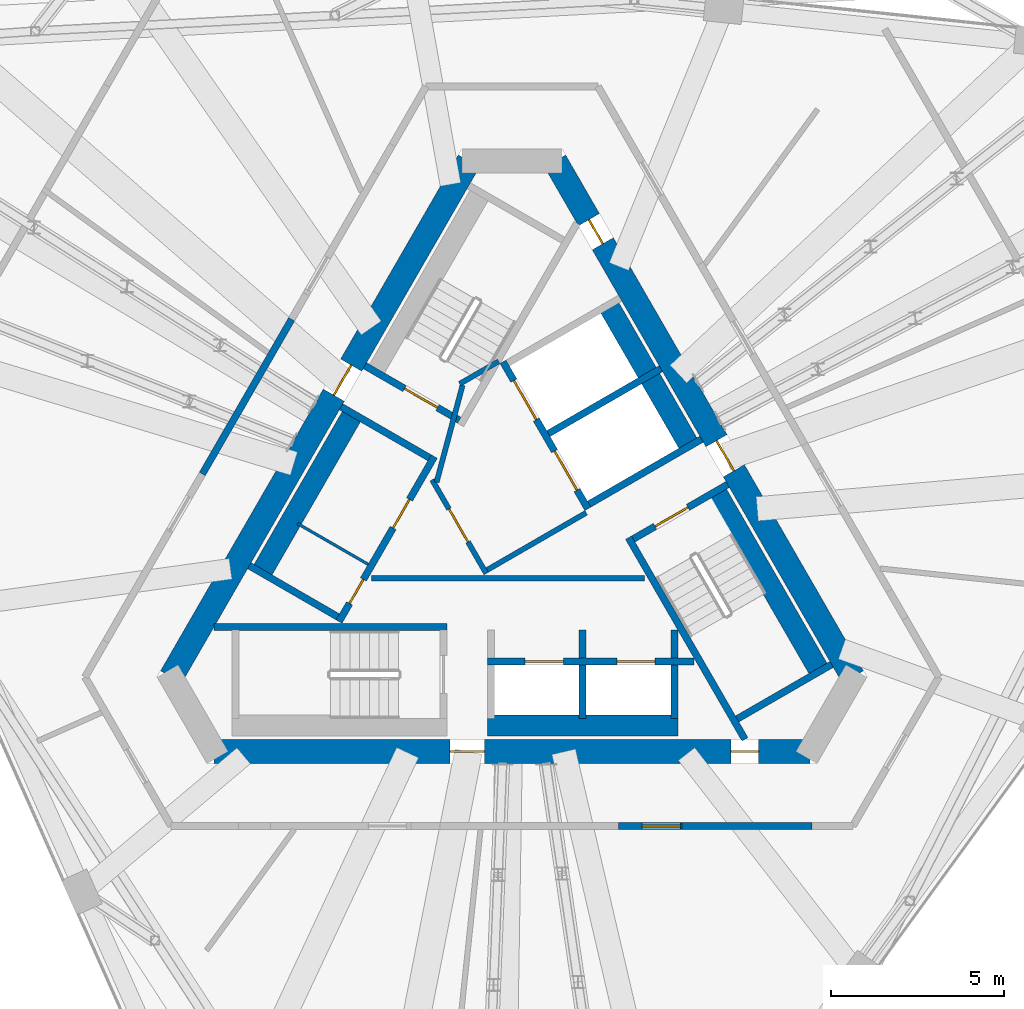
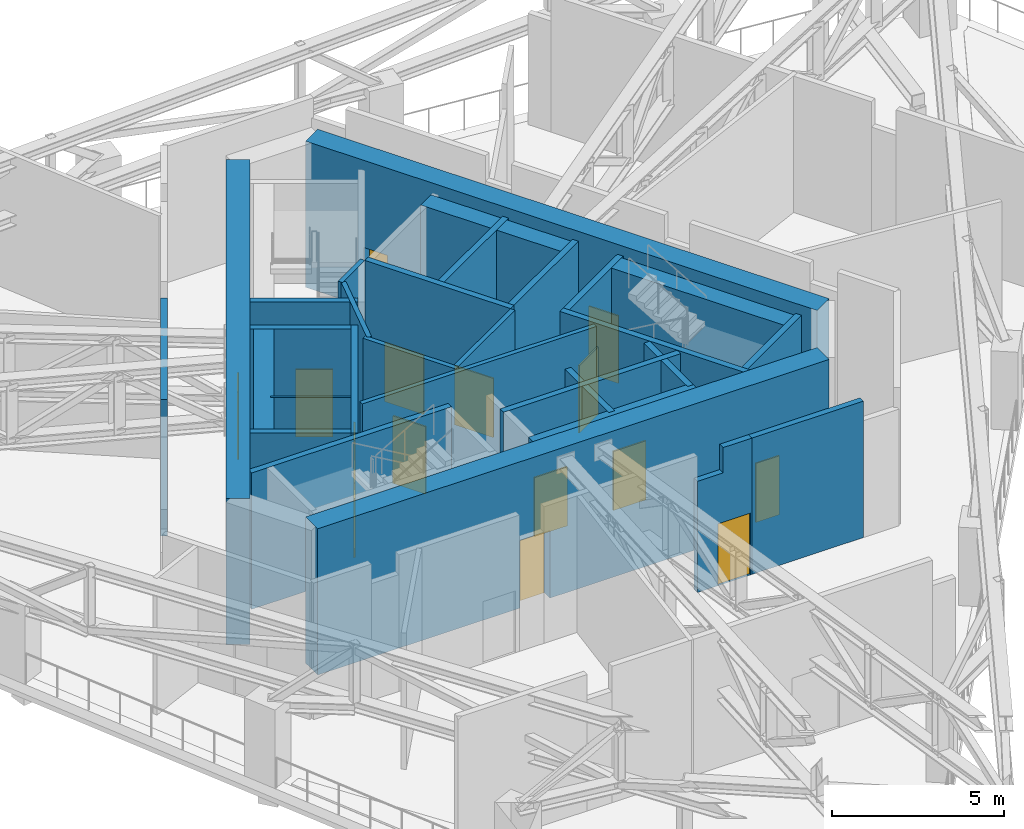
# One storey, part 12 of 20: 32 walls, 15 doors, 15 openings.
"""IFC4 building model written with IfcOpenShell, lengths in metres."""

from ifc_helpers import new_model, si_unit, direction, frame, frame_2d, origin, place, context, subcontext, project, spatial, polyline, rectangle, outline, extrude, material, layer, layer_set, type_object, element, fill, save


model = new_model("IFC4")

# Units and contexts
model_context = context("Model", 3, precision=1e-05, world=origin(), true_north=direction((0.0, 1.0)))
body_context = subcontext(model_context, "Body", "Model", "MODEL_VIEW")
ifc_project = project(units=[si_unit("LENGTHUNIT", "METRE"), si_unit("AREAUNIT", "SQUARE_METRE"), si_unit("VOLUMEUNIT", "CUBIC_METRE"), si_unit("PLANEANGLEUNIT", "RADIAN"), si_unit("MASSUNIT", "GRAM", prefix="KILO")], contexts=[model_context])

# Site, building, storey
site_placement = place(None, origin())
site = spatial("IfcSite", under=ifc_project, at=site_placement, CompositionType="ELEMENT")
building_placement = place(site_placement, origin())
building = spatial("IfcBuilding", under=site, at=building_placement, Name="Tramontana Tower", CompositionType="ELEMENT")
storey_placement = place(building_placement, frame((0.0, 0.0, 269.199951171875)))
storey = spatial("IfcBuildingStorey", under=building, at=storey_placement, Name="L63", CompositionType="ELEMENT", Elevation=269.199951171875)

# Wall, opening, door
ifc_material_1 = material(Name="Concrete 70 MPa", Category="concrete")
ifc_layer_1 = layer(ifc_material_1, 0.699951171875)
ifc_layer_set_1 = layer_set([ifc_layer_1], Name="Core wall 700 70 MPa")
wall_type_1 = type_object("IfcWallType", Name="Core wall 700 70 MPa", PredefinedType="SHEAR", material=ifc_layer_set_1)
wall_1_placement = place(storey_placement, frame((-1.2412109375, 10.64990234375, 0.0), z_axis=(0.0, 0.0, 1.0), x_axis=(-0.500003331888, -0.866023480109, 0.0)))
wall_1 = element("IfcWall", 1, at=wall_1_placement, inside=storey, type_object=wall_type_1, Name="Core wall C1 L63", PredefinedType="SHEAR", context=body_context, shape_type="SweptSolid", body=[
    extrude(rectangle(XDim=17.205078125, YDim=0.699951171875, at=frame_2d((8.6025390625, 0.0))), origin(), (0.0, 0.0, 1.0), 5.199951171875),
])
opening_1_placement = place(wall_1_placement, frame((6.8076171875, 0.0, 0.0)))
opening_1 = element("IfcOpeningElement", 2, at=opening_1_placement, cuts=wall_1, Name="Opening RG1", PredefinedType="OPENING", context=body_context, shape_type="SweptSolid", body=[
    extrude(rectangle(XDim=1.0, YDim=2.39990234375, at=frame_2d((0.5, 1.199951171875))), frame((0.0, 0.35986328125, 0.0), z_axis=(0.0, -1.0, 0.0), x_axis=(1.0, 0.0, 0.0)), (0.0, 0.0, 1.0), 0.719970703125),
])
ifc_material_2 = material(Name="Painted steel", Category="steel")
door_type_1 = type_object("IfcDoorType", Name="RING DOOR 1000", OperationType="SINGLE_SWING_LEFT", PredefinedType="DOOR", material=ifc_material_2)
door_1_placement = place(opening_1_placement, origin())
door_1 = element("IfcDoor", 3, at=door_1_placement, inside=storey, type_object=door_type_1, Name="Door RG1", OperationType="SINGLE_SWING_RIGHT", OverallHeight=2.39990234375, OverallWidth=1.0, PredefinedType="DOOR", context=body_context, shape_type="SweptSolid", body=[
    extrude(rectangle(XDim=1.0, YDim=2.39990234375, at=frame_2d((0.5, 1.199951171875))), frame((0.0, 0.02490234375, 0.0), z_axis=(0.0, -1.0, 0.0), x_axis=(1.0, 0.0, 0.0)), (0.0, 0.0, 1.0), 0.050048828125),
])
fill(opening_1, door_1)

# Wall, openings, doors
wall_2_placement = place(storey_placement, frame((-8.6025390625, -6.39990234375, 0.0), z_axis=(0.0, 0.0, 1.0), x_axis=(1.0, 0.0, 0.0)))
wall_2 = element("IfcWall", 4, at=wall_2_placement, inside=storey, type_object=wall_type_1, Name="Core wall C3 L63", PredefinedType="SHEAR", context=body_context, shape_type="SweptSolid", body=[
    extrude(rectangle(XDim=17.205078125, YDim=0.699951171875, at=frame_2d((8.6025390625, 0.0))), origin(), (0.0, 0.0, 1.0), 5.199951171875),
])
opening_2_placement = place(wall_2_placement, frame((6.8076171875, 0.0, 0.0)))
opening_2 = element("IfcOpeningElement", 5, at=opening_2_placement, cuts=wall_2, Name="Opening RG2", PredefinedType="OPENING", context=body_context, shape_type="SweptSolid", body=[
    extrude(rectangle(XDim=1.0, YDim=2.39990234375, at=frame_2d((0.5, 1.199951171875))), frame((0.0, 0.35986328125, 0.0), z_axis=(0.0, -1.0, 0.0), x_axis=(1.0, 0.0, 0.0)), (0.0, 0.0, 1.0), 0.719970703125),
])
opening_3_placement = place(wall_2_placement, frame((14.921630859375, 0.0, 0.0)))
opening_3 = element("IfcOpeningElement", 6, at=opening_3_placement, cuts=wall_2, Name="Opening PD2", PredefinedType="OPENING", context=body_context, shape_type="SweptSolid", body=[
    extrude(rectangle(XDim=0.800048828125, YDim=2.10009765625, at=frame_2d((0.39990234375, 1.050048828125))), frame((0.0, 0.35986328125, 0.0), z_axis=(0.0, -1.0, 0.0), x_axis=(1.0, 0.0, 0.0)), (0.0, 0.0, 1.0), 0.719970703125),
])
ifc_material_3 = material(Name="Painted steel", Category="steel")
door_type_2 = type_object("IfcDoorType", Name="CUPBOARD DOOR 800", OperationType="SINGLE_SWING_LEFT", PredefinedType="DOOR", material=ifc_material_3)
door_2_placement = place(opening_3_placement, origin())
door_2 = element("IfcDoor", 7, at=door_2_placement, inside=storey, type_object=door_type_2, Name="Door PD2", OperationType="SINGLE_SWING_LEFT", OverallHeight=2.10009765625, OverallWidth=0.800048828125, PredefinedType="DOOR", context=body_context, shape_type="SweptSolid", body=[
    extrude(rectangle(XDim=0.800048828125, YDim=2.10009765625, at=frame_2d((0.39990234375, 1.050048828125))), frame((0.0, 0.02490234375, 0.0), z_axis=(0.0, -1.0, 0.0), x_axis=(1.0, 0.0, 0.0)), (0.0, 0.0, 1.0), 0.050048828125),
])
fill(opening_3, door_2)
door_3_placement = place(opening_2_placement, origin())
door_3 = element("IfcDoor", 8, at=door_3_placement, inside=storey, type_object=door_type_1, Name="Door RG2", OperationType="SINGLE_SWING_LEFT", OverallHeight=2.39990234375, OverallWidth=1.0, PredefinedType="DOOR", context=body_context, shape_type="SweptSolid", body=[
    extrude(rectangle(XDim=1.0, YDim=2.39990234375, at=frame_2d((0.5, 1.199951171875))), frame((0.0, 0.02490234375, 0.0), z_axis=(0.0, -1.0, 0.0), x_axis=(1.0, 0.0, 0.0)), (0.0, 0.0, 1.0), 0.050048828125),
])
fill(opening_2, door_3)

wall_3_placement = place(storey_placement, frame((9.84375, -4.25, 0.0), z_axis=(0.0, 0.0, 1.0), x_axis=(-0.500003331888, 0.866023480109, 0.0)))
wall_3 = element("IfcWall", 9, at=wall_3_placement, inside=storey, type_object=wall_type_1, Name="Core wall C5 L63", PredefinedType="SHEAR", context=body_context, shape_type="SweptSolid", body=[
    extrude(rectangle(XDim=17.205078125, YDim=0.699951171875, at=frame_2d((8.6025390625, 0.0))), origin(), (0.0, 0.0, 1.0), 5.199951171875),
])
opening_4_placement = place(wall_3_placement, frame((6.87744140625, 0.0, 0.0)))
opening_4 = element("IfcOpeningElement", 10, at=opening_4_placement, cuts=wall_3, Name="Opening RG3", PredefinedType="OPENING", context=body_context, shape_type="SweptSolid", body=[
    extrude(rectangle(XDim=1.0, YDim=2.39990234375, at=frame_2d((0.5, 1.199951171875))), frame((0.0, 0.35986328125, 0.0), z_axis=(0.0, -1.0, 0.0), x_axis=(1.0, 0.0, 0.0)), (0.0, 0.0, 1.0), 0.719970703125),
])
opening_5_placement = place(wall_3_placement, frame((14.445068359375, 0.0, 0.0)))
opening_5 = element("IfcOpeningElement", 11, at=opening_5_placement, cuts=wall_3, Name="Opening PD3", PredefinedType="OPENING", context=body_context, shape_type="SweptSolid", body=[
    extrude(rectangle(XDim=0.800048828125, YDim=2.10009765625, at=frame_2d((0.39990234375, 1.050048828125))), frame((0.0, 0.35986328125, 0.0), z_axis=(0.0, -1.0, 0.0), x_axis=(1.0, 0.0, 0.0)), (0.0, 0.0, 1.0), 0.719970703125),
])
door_4_placement = place(opening_5_placement, origin())
door_4 = element("IfcDoor", 12, at=door_4_placement, inside=storey, type_object=door_type_2, Name="Door PD3", OperationType="SINGLE_SWING_RIGHT", OverallHeight=2.10009765625, OverallWidth=0.800048828125, PredefinedType="DOOR", context=body_context, shape_type="SweptSolid", body=[
    extrude(rectangle(XDim=0.800048828125, YDim=2.10009765625, at=frame_2d((0.39990234375, 1.050048828125))), frame((0.0, 0.02490234375, 0.0), z_axis=(0.0, -1.0, 0.0), x_axis=(1.0, 0.0, 0.0)), (0.0, 0.0, 1.0), 0.050048828125),
])
fill(opening_5, door_4)
door_5_placement = place(opening_4_placement, origin())
door_5 = element("IfcDoor", 13, at=door_5_placement, inside=storey, type_object=door_type_1, Name="Door RG3", OperationType="SINGLE_SWING_RIGHT", OverallHeight=2.39990234375, OverallWidth=1.0, PredefinedType="DOOR", context=body_context, shape_type="SweptSolid", body=[
    extrude(rectangle(XDim=1.0, YDim=2.39990234375, at=frame_2d((0.5, 1.199951171875))), frame((0.0, 0.02490234375, 0.0), z_axis=(0.0, -1.0, 0.0), x_axis=(1.0, 0.0, 0.0)), (0.0, 0.0, 1.0), 0.050048828125),
])
fill(opening_4, door_5)

# Wall
ifc_material_4 = material(Name="Blockwork", Category="masonry")
ifc_layer_2 = layer(ifc_material_4, 0.199951171875)
ifc_layer_set_2 = layer_set([ifc_layer_2], Name="ENTRY WALL 200")
wall_type_2 = type_object("IfcWallType", Name="ENTRY WALL 200", PredefinedType="SOLIDWALL", material=ifc_layer_set_2)
wall_4_placement = place(storey_placement, frame((8.6552734375, -8.550048828125, 0.0), z_axis=(0.0, 0.0, 1.0), x_axis=(-1.0, 0.0, 0.0)))
element("IfcWall", 14, at=wall_4_placement, inside=storey, type_object=wall_type_2, Name="Wall ew1-1", PredefinedType="SOLIDWALL", context=body_context, shape_type="SweptSolid", body=[
    extrude(rectangle(XDim=3.74609375, YDim=0.199951171875, at=frame_2d((1.873046875, 0.0))), origin(), (0.0, 0.0, 1.0), 4.85009765625),
])

# Wall, opening, door
wall_5_placement = place(storey_placement, frame((4.9091796875, -8.550048828125, 0.0), z_axis=(0.0, 0.0, 1.0), x_axis=(-1.0, 0.0, 0.0)))
wall_5 = element("IfcWall", 15, at=wall_5_placement, inside=storey, type_object=wall_type_2, Name="Wall ew1-2", PredefinedType="SOLIDWALL", context=body_context, shape_type="SweptSolid", body=[
    extrude(outline(polyline([(0.0, 0.0), (1.835693359375, 0.0), (1.8359375, 3.949951171875), (0.97119140625, 3.949951171875), (0.97119140625, 4.85009765625), (0.0, 4.85009765625), (0.0, 0.0)])), frame((0.0, 0.10009765625, 0.0), z_axis=(0.0, -1.0, 0.0), x_axis=(1.0, 0.0, 0.0)), (0.0, 0.0, 1.0), 0.199951171875),
])
opening_6_placement = place(wall_5_placement, frame((0.050048828125, 0.0, 0.0)))
opening_6 = element("IfcOpeningElement", 16, at=opening_6_placement, cuts=wall_5, Name="Opening L63-07", PredefinedType="OPENING", context=body_context, shape_type="SweptSolid", body=[
    extrude(rectangle(XDim=1.10009765625, YDim=2.199951171875, at=frame_2d((0.550048828125, 1.10009765625))), frame((0.0, 0.10986328125, 0.0), z_axis=(0.0, -1.0, 0.0), x_axis=(1.0, 0.0, 0.0)), (0.0, 0.0, 1.0), 0.219970703125),
])
ifc_material_5 = material(Name="Painted steel", Category="steel")
door_type_3 = type_object("IfcDoorType", Name="PLANT DOOR 1100", OperationType="SINGLE_SWING_LEFT", PredefinedType="DOOR", material=ifc_material_5)
door_6_placement = place(opening_6_placement, origin())
door_6 = element("IfcDoor", 17, at=door_6_placement, inside=storey, type_object=door_type_3, Name="Door L63-07", OperationType="SINGLE_SWING_LEFT", OverallHeight=2.199951171875, OverallWidth=1.10009765625, PredefinedType="DOOR", context=body_context, shape_type="SweptSolid", body=[
    extrude(rectangle(XDim=1.10009765625, YDim=2.199951171875, at=frame_2d((0.550048828125, 1.10009765625))), frame((0.0, 0.02490234375, 0.0), z_axis=(0.0, -1.0, 0.0), x_axis=(1.0, 0.0, 0.0)), (0.0, 0.0, 1.0), 0.050048828125),
])
fill(opening_6, door_6)

# Wall
wall_6_placement = place(storey_placement, frame((-8.941162109375, 1.61328125, 0.0), z_axis=(0.0, 0.0, 1.0), x_axis=(0.499973847261, 0.866040502549, 0.0)))
element("IfcWall", 18, at=wall_6_placement, inside=storey, type_object=wall_type_2, Name="Wall ew3-3", PredefinedType="SOLIDWALL", context=body_context, shape_type="SweptSolid", body=[
    extrude(rectangle(XDim=5.156005859375, YDim=0.199951171875, at=frame_2d((2.578125, 0.0))), origin(), (0.0, 0.0, 1.0), 4.85009765625),
])

# Wall, opening, door
ifc_material_6 = material(Name="Gypsum board partition")
ifc_layer_3 = layer(ifc_material_6, 0.14990234375)
ifc_layer_set_3 = layer_set([ifc_layer_3], Name="PARTITION 150")
wall_type_3 = type_object("IfcWallType", Name="PARTITION 150", PredefinedType="PARTITIONING", material=ifc_layer_set_3)
wall_7_placement = place(storey_placement, frame((-0.744140625, -1.260986328125, 0.0), z_axis=(0.0, 0.0, 1.0), x_axis=(-0.500004234368, 0.866022959057, 0.0)))
wall_7 = element("IfcWall", 19, at=wall_7_placement, inside=storey, type_object=wall_type_3, Name="Wall ff-front", PredefinedType="PARTITIONING", context=body_context, shape_type="SweptSolid", body=[
    extrude(rectangle(XDim=3.125, YDim=0.14990234375, at=frame_2d((1.5625, 0.0))), origin(), (0.0, 0.0, 1.0), 4.85009765625),
])
opening_7_placement = place(wall_7_placement, frame((1.050048828125, 0.0, 0.0)))
opening_7 = element("IfcOpeningElement", 20, at=opening_7_placement, cuts=wall_7, Name="Opening FD1", PredefinedType="OPENING", context=body_context, shape_type="SweptSolid", body=[
    extrude(rectangle(XDim=1.10009765625, YDim=2.39990234375, at=frame_2d((0.550048828125, 1.199951171875))), frame((0.0, 0.0849609375, 0.0), z_axis=(0.0, -1.0, 0.0), x_axis=(1.0, 0.0, 0.0)), (0.0, 0.0, 1.0), 0.169921875),
])
ifc_material_7 = material(Name="Painted timber", Category="wood")
door_type_4 = type_object("IfcDoorType", Name="DOOR ENTRY 1100", OperationType="SINGLE_SWING_LEFT", PredefinedType="DOOR", material=ifc_material_7)
door_7_placement = place(opening_7_placement, origin())
door_7 = element("IfcDoor", 21, at=door_7_placement, inside=storey, type_object=door_type_4, Name="Door FD1", OperationType="SINGLE_SWING_LEFT", OverallHeight=2.39990234375, OverallWidth=1.10009765625, PredefinedType="DOOR", context=body_context, shape_type="SweptSolid", body=[
    extrude(rectangle(XDim=1.10009765625, YDim=2.39990234375, at=frame_2d((0.550048828125, 1.199951171875))), frame((0.0, 0.02490234375, 0.0), z_axis=(0.0, -1.0, 0.0), x_axis=(1.0, 0.0, 0.0)), (0.0, 0.0, 1.0), 0.050048828125),
])
fill(opening_7, door_7)

# Walls
wall_8_placement = place(storey_placement, frame((-0.716796875, -1.15869140625, 0.0), z_axis=(0.0, 0.0, 1.0), x_axis=(0.866008176907, 0.50002983664, 0.0)))
element("IfcWall", 22, at=wall_8_placement, inside=storey, type_object=wall_type_3, Name="Wall ff-end0", PredefinedType="PARTITIONING", context=body_context, shape_type="SweptSolid", body=[
    extrude(rectangle(XDim=3.300048828125, YDim=0.14990234375, at=frame_2d((1.64990234375, 0.0))), origin(), (0.0, 0.0, 1.0), 4.85009765625),
])
wall_9_placement = place(storey_placement, frame((-2.177978515625, 1.372314453125, 0.0), z_axis=(0.0, 0.0, 1.0), x_axis=(0.258808958833, 0.96592852884, 0.0)))
element("IfcWall", 23, at=wall_9_placement, inside=storey, type_object=wall_type_3, Name="Wall ff-diag", PredefinedType="PARTITIONING", context=body_context, shape_type="SweptSolid", body=[
    extrude(rectangle(XDim=2.902587890625, YDim=0.14990234375, at=frame_2d((1.451171875, 0.0))), origin(), (0.0, 0.0, 1.0), 4.85009765625),
])
wall_10_placement = place(storey_placement, frame((-1.509765625, 4.21484375, 0.0), z_axis=(0.0, 0.0, 1.0), x_axis=(0.866085525409, 0.49989585183, 0.0)))
element("IfcWall", 24, at=wall_10_placement, inside=storey, type_object=wall_type_3, Name="Wall ff-end1", PredefinedType="PARTITIONING", context=body_context, shape_type="SweptSolid", body=[
    extrude(rectangle(XDim=1.300048828125, YDim=0.14990234375, at=frame_2d((0.64990234375, 0.0))), origin(), (0.0, 0.0, 1.0), 4.85009765625),
])
wall_11_placement = place(storey_placement, frame((-4.053466796875, -1.39990234375, 0.0), z_axis=(0.0, 0.0, 1.0), x_axis=(1.0, 0.0, 0.0)))
element("IfcWall", 25, at=wall_11_placement, inside=storey, type_object=wall_type_3, Name="Wall hub-cut1", PredefinedType="PARTITIONING", context=body_context, shape_type="SweptSolid", body=[
    extrude(rectangle(XDim=7.8759765625, YDim=0.14990234375, at=frame_2d((3.93798828125, 0.0))), origin(), (0.0, 0.0, 1.0), 4.85009765625),
])
ifc_material_8 = material(Name="Gypsum board partition")
ifc_layer_4 = layer(ifc_material_8, 0.080078125)
ifc_layer_set_4 = layer_set([ifc_layer_4], Name="PARTITION 80")
wall_type_4 = type_object("IfcWallType", Name="PARTITION 80", PredefinedType="PARTITIONING", material=ifc_layer_set_4)
wall_12_placement = place(storey_placement, frame((-4.15478515625, -0.99609375, 0.0), z_axis=(0.0, 0.0, 1.0), x_axis=(-0.866016039709, 0.500016218704, 0.0)))
element("IfcWall", 26, at=wall_12_placement, inside=storey, type_object=wall_type_4, Name="Wall row0-split", PredefinedType="PARTITIONING", context=body_context, shape_type="SweptSolid", body=[
    extrude(rectangle(XDim=2.35009765625, YDim=0.080078125, at=frame_2d((1.175048828125, 0.0))), origin(), (0.0, 0.0, 1.0), 4.85009765625),
])
ifc_material_9 = material(Name="Concrete 70 MPa", Category="concrete")
ifc_layer_5 = layer(ifc_material_9, 0.60009765625)
ifc_layer_set_5 = layer_set([ifc_layer_5], Name="Concrete 70 MPa, 600 mm")
wall_type_5 = type_object("IfcWallType", Name="RC SHAFT BACK WALL 600", PredefinedType="SOLIDWALL", material=ifc_layer_set_5)
wall_13_placement = place(storey_placement, frame((8.93310546875, -4.17236328125, 0.0), z_axis=(0.0, 0.0, 1.0), x_axis=(-0.500026960575, 0.86600983753, 0.0)))
element("IfcWall", 27, at=wall_13_placement, inside=storey, type_object=wall_type_5, Name="Wall st3-back", PredefinedType="SOLIDWALL", context=body_context, shape_type="SweptSolid", body=[
    extrude(rectangle(XDim=6.199951171875, YDim=0.60009765625, at=frame_2d((3.10009765625, 0.0))), origin(), (0.0, 0.0, 1.0), 4.85009765625),
])
for number, where, z_axis, x_axis, name in (
    (28, (-4.5380859375, 3.43994140625, 0.0), (0.0, 0.0, 1.0), (-0.499996545922, -0.866027397988, 0.0), "Wall row0-back"),
    (29, (-0.7099609375, -5.64990234375, 0.0), (0.0, 0.0, 1.0), (1.0, 0.0, 0.0), "Wall row1-back"),
):
    element("IfcWall", number, at=place(storey_placement, frame(where, z_axis=z_axis, x_axis=x_axis)), inside=storey, type_object=wall_type_5, Name=name, PredefinedType="SOLIDWALL", context=body_context, shape_type="SweptSolid", body=[
        extrude(rectangle(XDim=5.5, YDim=0.60009765625, at=frame_2d((2.75, 0.0))), origin(), (0.0, 0.0, 1.0), 4.85009765625),
    ])
wall_14_placement = place(storey_placement, frame((5.177978515625, 2.331298828125, 0.0), z_axis=(0.0, 0.0, 1.0), x_axis=(-0.49998122708, 0.866036242063, 0.0)))
element("IfcWall", 30, at=wall_14_placement, inside=storey, type_object=wall_type_5, Name="Wall row2-back", PredefinedType="SOLIDWALL", context=body_context, shape_type="SweptSolid", body=[
    extrude(rectangle(XDim=4.900146484375, YDim=0.60009765625, at=frame_2d((2.4501953125, 0.0))), origin(), (0.0, 0.0, 1.0), 4.85009765625),
])

# Wall, opening, door
ifc_material_10 = material(Name="Concrete 70 MPa", Category="concrete")
ifc_layer_6 = layer(ifc_material_10, 0.199951171875)
ifc_layer_set_6 = layer_set([ifc_layer_6], Name="Concrete 70 MPa, 200 mm")
wall_type_6 = type_object("IfcWallType", Name="RC STAIR AND SHAFT WALL 200", PredefinedType="SOLIDWALL", material=ifc_layer_set_6)
wall_15_placement = place(storey_placement, frame((-1.521484375, 3.164794921875, 0.0), z_axis=(0.0, 0.0, 1.0), x_axis=(-0.866035871367, 0.499981869177, 0.0)))
wall_15 = element("IfcWall", 31, at=wall_15_placement, inside=storey, type_object=wall_type_6, Name="Wall st1-near", PredefinedType="SOLIDWALL", context=body_context, shape_type="SweptSolid", body=[
    extrude(rectangle(XDim=3.14990234375, YDim=0.199951171875, at=frame_2d((1.574951171875, 0.0))), origin(), (0.0, 0.0, 1.0), 4.85009765625),
])
opening_8_placement = place(wall_15_placement, frame((0.72509765625, 0.0, 0.0)))
opening_8 = element("IfcOpeningElement", 32, at=opening_8_placement, cuts=wall_15, Name="Opening SD1", PredefinedType="OPENING", context=body_context, shape_type="SweptSolid", body=[
    extrude(rectangle(XDim=1.10009765625, YDim=2.39990234375, at=frame_2d((0.550048828125, 1.199951171875))), frame((0.0, 0.10986328125, 0.0), z_axis=(0.0, -1.0, 0.0), x_axis=(1.0, 0.0, 0.0)), (0.0, 0.0, 1.0), 0.219970703125),
])
ifc_material_11 = material(Name="Painted steel", Category="steel")
door_type_5 = type_object("IfcDoorType", Name="STAIR DOOR 1100", OperationType="SINGLE_SWING_LEFT", PredefinedType="DOOR", material=ifc_material_11)
door_8_placement = place(opening_8_placement, origin())
door_8 = element("IfcDoor", 33, at=door_8_placement, inside=storey, type_object=door_type_5, Name="Door SD1", OperationType="SINGLE_SWING_RIGHT", OverallHeight=2.39990234375, OverallWidth=1.10009765625, PredefinedType="DOOR", context=body_context, shape_type="SweptSolid", body=[
    extrude(rectangle(XDim=1.10009765625, YDim=2.39990234375, at=frame_2d((0.550048828125, 1.199951171875))), frame((0.0, 0.02490234375, 0.0), z_axis=(0.0, -1.0, 0.0), x_axis=(1.0, 0.0, 0.0)), (0.0, 0.0, 1.0), 0.050048828125),
])
fill(opening_8, door_8)

# Walls
for number, where, z_axis, x_axis, name in (
    (34, (-8.6025390625, -2.800048828125, 0.0), (0.0, 0.0, 1.0), (1.0, 0.0, 0.0), "Wall st2-front"),
    (35, (6.72607421875, -6.050048828125, 0.0), (0.0, 0.0, 1.0), (-0.499970804718, 0.866042259032, 0.0), "Wall st3-front"),
):
    element("IfcWall", number, at=place(storey_placement, frame(where, z_axis=z_axis, x_axis=x_axis)), inside=storey, type_object=wall_type_6, Name=name, PredefinedType="SOLIDWALL", context=body_context, shape_type="SweptSolid", body=[
        extrude(rectangle(XDim=6.72265625, YDim=0.199951171875, at=frame_2d((3.361328125, 0.0))), origin(), (0.0, 0.0, 1.0), 4.85009765625),
    ])
wall_16_placement = place(storey_placement, frame((6.50146484375, -5.4609375, 0.0), z_axis=(0.0, 0.0, 1.0), x_axis=(0.866035871367, 0.499981869177, 0.0)))
element("IfcWall", 36, at=wall_16_placement, inside=storey, type_object=wall_type_6, Name="Wall st3-far", PredefinedType="SOLIDWALL", context=body_context, shape_type="SweptSolid", body=[
    extrude(rectangle(XDim=3.14990234375, YDim=0.199951171875, at=frame_2d((1.574951171875, 0.0))), origin(), (0.0, 0.0, 1.0), 4.85009765625),
])

# Wall, opening, door
wall_17_placement = place(storey_placement, frame((3.50146484375, -0.2646484375, 0.0), z_axis=(0.0, 0.0, 1.0), x_axis=(0.866035871367, 0.499981869177, 0.0)))
wall_17 = element("IfcWall", 37, at=wall_17_placement, inside=storey, type_object=wall_type_6, Name="Wall st3-near", PredefinedType="SOLIDWALL", context=body_context, shape_type="SweptSolid", body=[
    extrude(rectangle(XDim=3.14990234375, YDim=0.199951171875, at=frame_2d((1.574951171875, 0.0))), origin(), (0.0, 0.0, 1.0), 4.85009765625),
])
opening_9_placement = place(wall_17_placement, frame((0.72509765625, 0.0, 0.0)))
opening_9 = element("IfcOpeningElement", 38, at=opening_9_placement, cuts=wall_17, Name="Opening SD3", PredefinedType="OPENING", context=body_context, shape_type="SweptSolid", body=[
    extrude(rectangle(XDim=1.10009765625, YDim=2.39990234375, at=frame_2d((0.550048828125, 1.199951171875))), frame((0.0, 0.10986328125, 0.0), z_axis=(0.0, -1.0, 0.0), x_axis=(1.0, 0.0, 0.0)), (0.0, 0.0, 1.0), 0.219970703125),
])
door_9_placement = place(opening_9_placement, origin())
door_9 = element("IfcDoor", 39, at=door_9_placement, inside=storey, type_object=door_type_5, Name="Door SD3", OperationType="SINGLE_SWING_RIGHT", OverallHeight=2.39990234375, OverallWidth=1.10009765625, PredefinedType="DOOR", context=body_context, shape_type="SweptSolid", body=[
    extrude(rectangle(XDim=1.10009765625, YDim=2.39990234375, at=frame_2d((0.550048828125, 1.199951171875))), frame((0.0, 0.02490234375, 0.0), z_axis=(0.0, -1.0, 0.0), x_axis=(1.0, 0.0, 0.0)), (0.0, 0.0, 1.0), 0.050048828125),
])
fill(opening_9, door_9)

# Wall, openings, doors
wall_18_placement = place(storey_placement, frame((-4.9931640625, -2.648193359375, 0.0), z_axis=(0.0, 0.0, 1.0), x_axis=(0.499996545922, 0.866027397988, 0.0)))
wall_18 = element("IfcWall", 40, at=wall_18_placement, inside=storey, type_object=wall_type_6, Name="Wall row0-front", PredefinedType="SOLIDWALL", context=body_context, shape_type="SweptSolid", body=[
    extrude(rectangle(XDim=5.5, YDim=0.199951171875, at=frame_2d((2.75, 0.0))), origin(), (0.0, 0.0, 1.0), 4.85009765625),
])
opening_10_placement = place(wall_18_placement, frame((3.1201171875, 0.0, 0.0)))
opening_10 = element("IfcOpeningElement", 41, at=opening_10_placement, cuts=wall_18, Name="Opening RD-0A", PredefinedType="OPENING", context=body_context, shape_type="SweptSolid", body=[
    extrude(rectangle(XDim=0.949951171875, YDim=2.39990234375, at=frame_2d((0.47509765625, 1.199951171875))), frame((0.0, 0.10986328125, 0.0), z_axis=(0.0, -1.0, 0.0), x_axis=(1.0, 0.0, 0.0)), (0.0, 0.0, 1.0), 0.219970703125),
])
opening_11_placement = place(wall_18_placement, frame((0.60498046875, 0.0, 0.0)))
opening_11 = element("IfcOpeningElement", 42, at=opening_11_placement, cuts=wall_18, Name="Opening RD-0B", PredefinedType="OPENING", context=body_context, shape_type="SweptSolid", body=[
    extrude(rectangle(XDim=0.800048828125, YDim=2.10009765625, at=frame_2d((0.39990234375, 1.050048828125))), frame((0.0, 0.10986328125, 0.0), z_axis=(0.0, -1.0, 0.0), x_axis=(1.0, 0.0, 0.0)), (0.0, 0.0, 1.0), 0.219970703125),
])
door_10_placement = place(opening_11_placement, origin())
door_10 = element("IfcDoor", 43, at=door_10_placement, inside=storey, type_object=door_type_2, Name="Door RD-0B", OperationType="SINGLE_SWING_RIGHT", OverallHeight=2.10009765625, OverallWidth=0.800048828125, PredefinedType="DOOR", context=body_context, shape_type="SweptSolid", body=[
    extrude(rectangle(XDim=0.800048828125, YDim=2.10009765625, at=frame_2d((0.39990234375, 1.050048828125))), frame((0.0, 0.02490234375, 0.0), z_axis=(0.0, -1.0, 0.0), x_axis=(1.0, 0.0, 0.0)), (0.0, 0.0, 1.0), 0.050048828125),
])
fill(opening_11, door_10)
ifc_material_12 = material(Name="Painted timber", Category="wood")
door_type_6 = type_object("IfcDoorType", Name="DOOR ROOM 950", OperationType="SINGLE_SWING_LEFT", PredefinedType="DOOR", material=ifc_material_12)
door_11_placement = place(opening_10_placement, origin())
door_11 = element("IfcDoor", 44, at=door_11_placement, inside=storey, type_object=door_type_6, Name="Door RD-0A", OperationType="SINGLE_SWING_LEFT", OverallHeight=2.39990234375, OverallWidth=0.949951171875, PredefinedType="DOOR", context=body_context, shape_type="SweptSolid", body=[
    extrude(rectangle(XDim=0.949951171875, YDim=2.39990234375, at=frame_2d((0.47509765625, 1.199951171875))), frame((0.0, 0.02490234375, 0.0), z_axis=(0.0, -1.0, 0.0), x_axis=(1.0, 0.0, 0.0)), (0.0, 0.0, 1.0), 0.050048828125),
])
fill(opening_10, door_11)

# Walls
for number, where, z_axis, x_axis, name in (
    (45, (-2.379638671875, 2.078369140625, 0.0), (0.0, 0.0, 1.0), (-0.866060182126, 0.499939757307, 0.0), "Wall row0-side0"),
    (46, (-5.02978515625, -2.51171875, 0.0), (0.0, 0.0, 1.0), (-0.866003658127, 0.500037662692, 0.0), "Wall row0-side2"),
):
    element("IfcWall", number, at=place(storey_placement, frame(where, z_axis=z_axis, x_axis=x_axis)), inside=storey, type_object=wall_type_6, Name=name, PredefinedType="SOLIDWALL", context=body_context, shape_type="SweptSolid", body=[
        extrude(rectangle(XDim=2.949951171875, YDim=0.199951171875, at=frame_2d((1.47509765625, 0.0))), origin(), (0.0, 0.0, 1.0), 4.85009765625),
    ])

# Wall, openings, doors
wall_19_placement = place(storey_placement, frame((-0.7099609375, -3.800048828125, 0.0), z_axis=(0.0, 0.0, 1.0), x_axis=(1.0, 0.0, 0.0)))
wall_19 = element("IfcWall", 47, at=wall_19_placement, inside=storey, type_object=wall_type_6, Name="Wall row1-front", PredefinedType="SOLIDWALL", context=body_context, shape_type="SweptSolid", body=[
    extrude(rectangle(XDim=5.96142578125, YDim=0.199951171875, at=frame_2d((2.980712890625, 0.0))), origin(), (0.0, 0.0, 1.0), 4.85009765625),
])
opening_12_placement = place(wall_19_placement, frame((1.090087890625, 0.0, 0.0)))
opening_12 = element("IfcOpeningElement", 48, at=opening_12_placement, cuts=wall_19, Name="Opening LD-S1", PredefinedType="OPENING", context=body_context, shape_type="SweptSolid", body=[
    extrude(rectangle(XDim=1.10009765625, YDim=2.10009765625, at=frame_2d((0.550048828125, 1.050048828125))), frame((0.0, 0.10986328125, 0.0), z_axis=(0.0, -1.0, 0.0), x_axis=(1.0, 0.0, 0.0)), (0.0, 0.0, 1.0), 0.219970703125),
])
opening_13_placement = place(wall_19_placement, frame((3.739990234375, 0.0, 0.0)))
opening_13 = element("IfcOpeningElement", 49, at=opening_13_placement, cuts=wall_19, Name="Opening LD-S2", PredefinedType="OPENING", context=body_context, shape_type="SweptSolid", body=[
    extrude(rectangle(XDim=1.10009765625, YDim=2.10009765625, at=frame_2d((0.550048828125, 1.050048828125))), frame((0.0, 0.10986328125, 0.0), z_axis=(0.0, -1.0, 0.0), x_axis=(1.0, 0.0, 0.0)), (0.0, 0.0, 1.0), 0.219970703125),
])
ifc_material_13 = material(Name="Brushed steel", Category="steel")
door_type_7 = type_object("IfcDoorType", Name="LANDING DOOR 1100", OperationType="SINGLE_SWING_LEFT", PredefinedType="DOOR", material=ifc_material_13)
door_12_placement = place(opening_12_placement, origin())
door_12 = element("IfcDoor", 50, at=door_12_placement, inside=storey, type_object=door_type_7, Name="Door LD-S1", OperationType="SLIDING_TO_LEFT", OverallHeight=2.10009765625, OverallWidth=1.10009765625, PredefinedType="DOOR", context=body_context, shape_type="SweptSolid", body=[
    extrude(rectangle(XDim=1.10009765625, YDim=2.10009765625, at=frame_2d((0.550048828125, 1.050048828125))), frame((0.0, 0.02490234375, 0.0), z_axis=(0.0, -1.0, 0.0), x_axis=(1.0, 0.0, 0.0)), (0.0, 0.0, 1.0), 0.050048828125),
])
fill(opening_12, door_12)
door_13_placement = place(opening_13_placement, origin())
door_13 = element("IfcDoor", 51, at=door_13_placement, inside=storey, type_object=door_type_7, Name="Door LD-S2", OperationType="SLIDING_TO_RIGHT", OverallHeight=2.10009765625, OverallWidth=1.10009765625, PredefinedType="DOOR", context=body_context, shape_type="SweptSolid", body=[
    extrude(rectangle(XDim=1.10009765625, YDim=2.10009765625, at=frame_2d((0.550048828125, 1.050048828125))), frame((0.0, 0.02490234375, 0.0), z_axis=(0.0, -1.0, 0.0), x_axis=(1.0, 0.0, 0.0)), (0.0, 0.0, 1.0), 0.050048828125),
])
fill(opening_13, door_13)

# Walls
wall_20_placement = place(storey_placement, frame((2.0400390625, -3.89990234375, 0.0), z_axis=(0.0, 0.0, 1.0), x_axis=(0.0, -1.0, 0.0)))
element("IfcWall", 52, at=wall_20_placement, inside=storey, type_object=wall_type_6, Name="Wall row1-side1", PredefinedType="SOLIDWALL", context=body_context, shape_type="SweptSolid", body=[
    extrude(rectangle(XDim=1.550048828125, YDim=0.199951171875, at=frame_2d((0.77490234375, 0.0))), origin(), (0.0, 0.0, 1.0), 4.85009765625),
])
wall_21_placement = place(storey_placement, frame((2.0400390625, -2.89990234375, 0.0), z_axis=(0.0, 0.0, 1.0), x_axis=(0.0, -1.0, 0.0)))
element("IfcWall", 53, at=wall_21_placement, inside=storey, type_object=wall_type_6, Name="Wall row1-side1-ret", PredefinedType="SOLIDWALL", context=body_context, shape_type="SweptSolid", body=[
    extrude(rectangle(XDim=0.800048828125, YDim=0.199951171875, at=frame_2d((0.39990234375, 0.0))), origin(), (0.0, 0.0, 1.0), 4.85009765625),
])
wall_22_placement = place(storey_placement, frame((4.68994140625, -3.89990234375, 0.0), z_axis=(0.0, 0.0, 1.0), x_axis=(0.0, -1.0, 0.0)))
element("IfcWall", 54, at=wall_22_placement, inside=storey, type_object=wall_type_6, Name="Wall row1-side2", PredefinedType="SOLIDWALL", context=body_context, shape_type="SweptSolid", body=[
    extrude(rectangle(XDim=1.550048828125, YDim=0.199951171875, at=frame_2d((0.77490234375, 0.0))), origin(), (0.0, 0.0, 1.0), 4.85009765625),
])
wall_23_placement = place(storey_placement, frame((4.68994140625, -2.89990234375, 0.0), z_axis=(0.0, 0.0, 1.0), x_axis=(0.0, -1.0, 0.0)))
element("IfcWall", 55, at=wall_23_placement, inside=storey, type_object=wall_type_6, Name="Wall row1-side2-ret", PredefinedType="SOLIDWALL", context=body_context, shape_type="SweptSolid", body=[
    extrude(rectangle(XDim=0.800048828125, YDim=0.199951171875, at=frame_2d((0.39990234375, 0.0))), origin(), (0.0, 0.0, 1.0), 4.85009765625),
])

# Wall, openings, doors
wall_24_placement = place(storey_placement, frame((2.190185546875, 0.6064453125, 0.0), z_axis=(0.0, 0.0, 1.0), x_axis=(-0.500002801628, 0.866023786258, 0.0)))
wall_24 = element("IfcWall", 56, at=wall_24_placement, inside=storey, type_object=wall_type_6, Name="Wall row2-front", PredefinedType="SOLIDWALL", context=body_context, shape_type="SweptSolid", body=[
    extrude(rectangle(XDim=4.89990234375, YDim=0.199951171875, at=frame_2d((2.449951171875, 0.0))), origin(), (0.0, 0.0, 1.0), 4.85009765625),
])
opening_14_placement = place(wall_24_placement, frame((0.625, 0.0, 0.0)))
opening_14 = element("IfcOpeningElement", 57, at=opening_14_placement, cuts=wall_24, Name="Opening LD-F1", PredefinedType="OPENING", context=body_context, shape_type="SweptSolid", body=[
    extrude(rectangle(XDim=1.300048828125, YDim=2.10009765625, at=frame_2d((0.64990234375, 1.050048828125))), frame((0.0, 0.10986328125, 0.0), z_axis=(0.0, -1.0, 0.0), x_axis=(1.0, 0.0, 0.0)), (0.0, 0.0, 1.0), 0.219970703125),
])
opening_15_placement = place(wall_24_placement, frame((2.97509765625, 0.0, 0.0)))
opening_15 = element("IfcOpeningElement", 58, at=opening_15_placement, cuts=wall_24, Name="Opening LD-F2", PredefinedType="OPENING", context=body_context, shape_type="SweptSolid", body=[
    extrude(rectangle(XDim=1.300048828125, YDim=2.10009765625, at=frame_2d((0.64990234375, 1.050048828125))), frame((0.0, 0.10986328125, 0.0), z_axis=(0.0, -1.0, 0.0), x_axis=(1.0, 0.0, 0.0)), (0.0, 0.0, 1.0), 0.219970703125),
])
ifc_material_14 = material(Name="Brushed steel", Category="steel")
door_type_8 = type_object("IfcDoorType", Name="LANDING DOOR 1300", OperationType="SINGLE_SWING_LEFT", PredefinedType="DOOR", material=ifc_material_14)
door_14_placement = place(opening_14_placement, origin())
door_14 = element("IfcDoor", 59, at=door_14_placement, inside=storey, type_object=door_type_8, Name="Door LD-F1", OperationType="SLIDING_TO_LEFT", OverallHeight=2.10009765625, OverallWidth=1.300048828125, PredefinedType="DOOR", context=body_context, shape_type="SweptSolid", body=[
    extrude(rectangle(XDim=1.300048828125, YDim=2.10009765625, at=frame_2d((0.64990234375, 1.050048828125))), frame((0.0, 0.02490234375, 0.0), z_axis=(0.0, -1.0, 0.0), x_axis=(1.0, 0.0, 0.0)), (0.0, 0.0, 1.0), 0.050048828125),
])
fill(opening_14, door_14)
door_15_placement = place(opening_15_placement, origin())
door_15 = element("IfcDoor", 60, at=door_15_placement, inside=storey, type_object=door_type_8, Name="Door LD-F2", OperationType="SLIDING_TO_RIGHT", OverallHeight=2.10009765625, OverallWidth=1.300048828125, PredefinedType="DOOR", context=body_context, shape_type="SweptSolid", body=[
    extrude(rectangle(XDim=1.300048828125, YDim=2.10009765625, at=frame_2d((0.64990234375, 1.050048828125))), frame((0.0, 0.02490234375, 0.0), z_axis=(0.0, -1.0, 0.0), x_axis=(1.0, 0.0, 0.0)), (0.0, 0.0, 1.0), 0.050048828125),
])
fill(opening_15, door_15)

# Walls
wall_25_placement = place(storey_placement, frame((2.226806640625, 0.742919921875, 0.0), z_axis=(0.0, 0.0, 1.0), x_axis=(0.866022959057, 0.500004234368, 0.0)))
element("IfcWall", 61, at=wall_25_placement, inside=storey, type_object=wall_type_6, Name="Wall row2-side0", PredefinedType="SOLIDWALL", context=body_context, shape_type="SweptSolid", body=[
    extrude(rectangle(XDim=3.75, YDim=0.199951171875, at=frame_2d((1.875, 0.0))), origin(), (0.0, 0.0, 1.0), 4.85009765625),
])
wall_26_placement = place(storey_placement, frame((1.0517578125, 2.778076171875, 0.0), z_axis=(0.0, 0.0, 1.0), x_axis=(0.866039234136, 0.499976044363, 0.0)))
element("IfcWall", 62, at=wall_26_placement, inside=storey, type_object=wall_type_6, Name="Wall row2-side1", PredefinedType="SOLIDWALL", context=body_context, shape_type="SweptSolid", body=[
    extrude(rectangle(XDim=3.750244140625, YDim=0.199951171875, at=frame_2d((1.875, 0.0))), origin(), (0.0, 0.0, 1.0), 4.85009765625),
])

save(model, "model.ifc")
